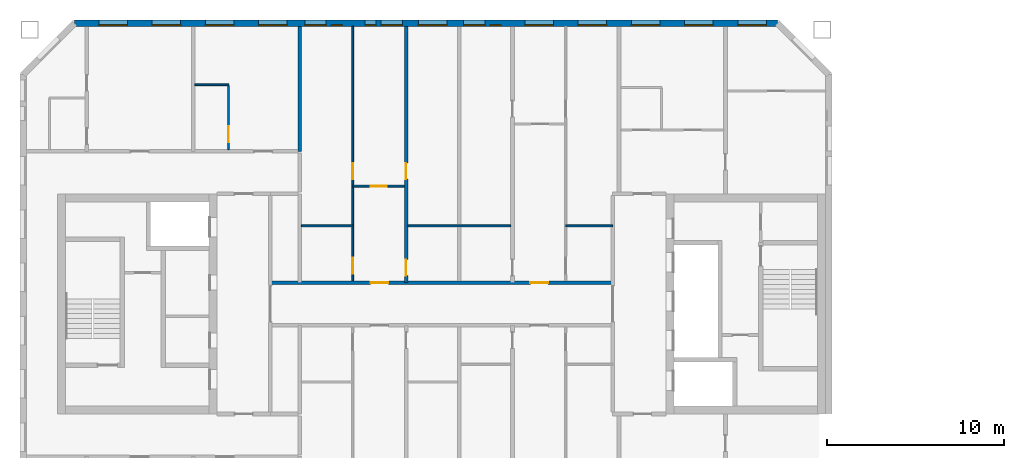
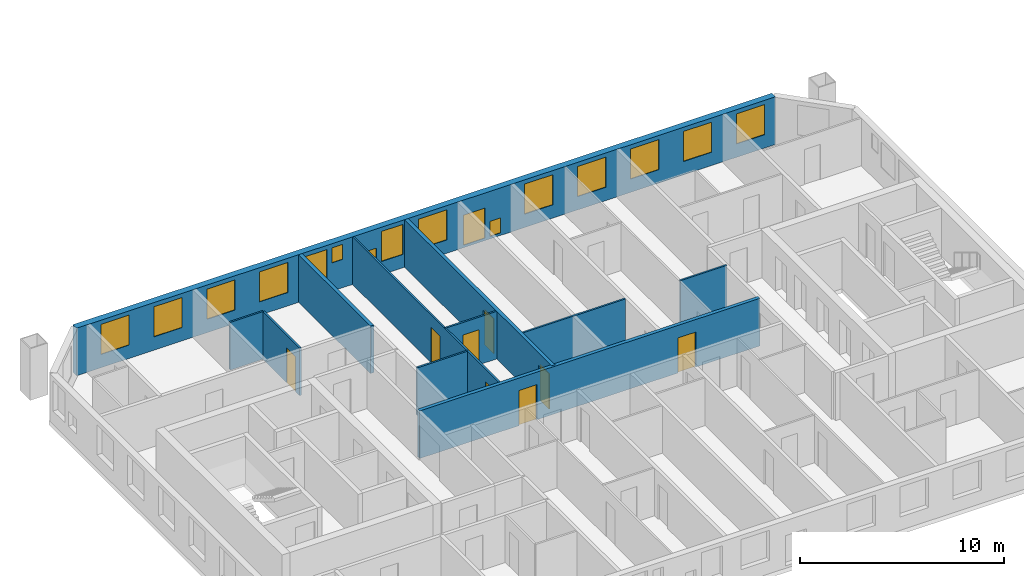
# One storey, part 5 of 15: 16 windows, 11 walls, 8 doors, 24 openings.
"""IFC4 building model written with IfcOpenShell, lengths in metres."""

from ifc_helpers import new_model, si_unit, direction, frame, frame_2d, origin, place, context, subcontext, project, spatial, rectangle, extrude, material, layer, layer_set, type_object, element, fill, save


model = new_model("IFC4")

# Units and contexts
model_context = context("Model", 3, precision=1e-05, world=origin(), true_north=direction((0.0, 1.0)))
body_context = subcontext(model_context, "Body", "Model", "MODEL_VIEW")
ifc_project = project(units=[si_unit("LENGTHUNIT", "METRE"), si_unit("AREAUNIT", "SQUARE_METRE"), si_unit("VOLUMEUNIT", "CUBIC_METRE"), si_unit("PLANEANGLEUNIT", "RADIAN"), si_unit("MASSUNIT", "GRAM", prefix="KILO")], contexts=[model_context])

# Site, building, storey
site_placement = place(None, origin())
site = spatial("IfcSite", under=ifc_project, at=site_placement, CompositionType="ELEMENT")
building_placement = place(site_placement, origin())
building = spatial("IfcBuilding", under=site, at=building_placement, Name="Tuart Gate Housing", CompositionType="ELEMENT")
storey_placement = place(building_placement, frame((0.0, 0.0, 188.199951171875)))
storey = spatial("IfcBuildingStorey", under=building, at=storey_placement, Name="L53", CompositionType="ELEMENT", Elevation=188.199951171875)

# Wall, openings, windows
ifc_material_1 = material(Name="Brick", Category="masonry")
ifc_layer_1 = layer(ifc_material_1, 0.360107421875)
ifc_layer_set_1 = layer_set([ifc_layer_1], Name="Brick pier and spandrel wall 360")
wall_type_1 = type_object("IfcWallType", Name="Brick pier and spandrel wall 360", PredefinedType="STANDARD", material=ifc_layer_set_1)
wall_1_placement = place(storey_placement, frame((72.92529296875, 85.820068359375, 0.0), z_axis=(0.0, 0.0, 1.0), x_axis=(-1.0, 0.0, 0.0)))
wall_1 = element("IfcWall", 1, at=wall_1_placement, inside=storey, type_object=wall_type_1, Name="External wall A-N L53", PredefinedType="STANDARD", context=body_context, shape_type="SweptSolid", body=[
    extrude(rectangle(XDim=39.600830078125, YDim=0.360107421875, at=frame_2d((19.80029296875, 0.0))), origin(), (0.0, 0.0, 1.0), 2.85009765625),
])
opening_1_placement = place(wall_1_placement, frame((0.62548828125, 0.0, 0.800048828125)))
opening_1 = element("IfcOpeningElement", 2, at=opening_1_placement, cuts=wall_1, Name="Opening W1", PredefinedType="OPENING", context=body_context, shape_type="SweptSolid", body=[
    extrude(rectangle(XDim=1.60009765625, YDim=1.800048828125, at=frame_2d((0.800048828125, 0.89990234375))), frame((0.0, 0.18994140625, 0.0), z_axis=(0.0, -1.0, 0.0), x_axis=(1.0, 0.0, 0.0)), (0.0, 0.0, 1.0), 0.380126953125),
])
opening_2_placement = place(wall_1_placement, frame((3.62548828125, 0.0, 0.800048828125)))
opening_2 = element("IfcOpeningElement", 3, at=opening_2_placement, cuts=wall_1, Name="Opening W1", PredefinedType="OPENING", context=body_context, shape_type="SweptSolid", body=[
    extrude(rectangle(XDim=1.60009765625, YDim=1.800048828125, at=frame_2d((0.800048828125, 0.89990234375))), frame((0.0, 0.18994140625, 0.0), z_axis=(0.0, -1.0, 0.0), x_axis=(1.0, 0.0, 0.0)), (0.0, 0.0, 1.0), 0.380126953125),
])
opening_3_placement = place(wall_1_placement, frame((6.62548828125, 0.0, 0.800048828125)))
opening_3 = element("IfcOpeningElement", 4, at=opening_3_placement, cuts=wall_1, Name="Opening W1", PredefinedType="OPENING", context=body_context, shape_type="SweptSolid", body=[
    extrude(rectangle(XDim=1.60009765625, YDim=1.800048828125, at=frame_2d((0.800048828125, 0.89990234375))), frame((0.0, 0.18994140625, 0.0), z_axis=(0.0, -1.0, 0.0), x_axis=(1.0, 0.0, 0.0)), (0.0, 0.0, 1.0), 0.380126953125),
])
opening_4_placement = place(wall_1_placement, frame((9.62548828125, 0.0, 0.800048828125)))
opening_4 = element("IfcOpeningElement", 5, at=opening_4_placement, cuts=wall_1, Name="Opening W1", PredefinedType="OPENING", context=body_context, shape_type="SweptSolid", body=[
    extrude(rectangle(XDim=1.60009765625, YDim=1.800048828125, at=frame_2d((0.800048828125, 0.89990234375))), frame((0.0, 0.18994140625, 0.0), z_axis=(0.0, -1.0, 0.0), x_axis=(1.0, 0.0, 0.0)), (0.0, 0.0, 1.0), 0.380126953125),
])
opening_5_placement = place(wall_1_placement, frame((12.62548828125, 0.0, 0.800048828125)))
opening_5 = element("IfcOpeningElement", 6, at=opening_5_placement, cuts=wall_1, Name="Opening W1", PredefinedType="OPENING", context=body_context, shape_type="SweptSolid", body=[
    extrude(rectangle(XDim=1.60009765625, YDim=1.800048828125, at=frame_2d((0.800048828125, 0.89990234375))), frame((0.0, 0.18994140625, 0.0), z_axis=(0.0, -1.0, 0.0), x_axis=(1.0, 0.0, 0.0)), (0.0, 0.0, 1.0), 0.380126953125),
])
opening_6_placement = place(wall_1_placement, frame((15.575439453125, 0.0, 0.14990234375)))
opening_6 = element("IfcOpeningElement", 7, at=opening_6_placement, cuts=wall_1, Name="Opening W1W", PredefinedType="OPENING", context=body_context, shape_type="SweptSolid", body=[
    extrude(rectangle(XDim=0.60009765625, YDim=0.89990234375, at=frame_2d((0.300048828125, 0.449951171875))), frame((0.0, 0.18994140625, 0.0), z_axis=(0.0, -1.0, 0.0), x_axis=(1.0, 0.0, 0.0)), (0.0, 0.0, 1.0), 0.380126953125),
])
opening_7_placement = place(wall_1_placement, frame((18.62548828125, 0.0, 0.800048828125)))
opening_7 = element("IfcOpeningElement", 8, at=opening_7_placement, cuts=wall_1, Name="Opening W1", PredefinedType="OPENING", context=body_context, shape_type="SweptSolid", body=[
    extrude(rectangle(XDim=1.60009765625, YDim=1.800048828125, at=frame_2d((0.800048828125, 0.89990234375))), frame((0.0, 0.18994140625, 0.0), z_axis=(0.0, -1.0, 0.0), x_axis=(1.0, 0.0, 0.0)), (0.0, 0.0, 1.0), 0.380126953125),
])
opening_8_placement = place(wall_1_placement, frame((21.12548828125, 0.0, 0.800048828125)))
opening_8 = element("IfcOpeningElement", 9, at=opening_8_placement, cuts=wall_1, Name="Opening W1B", PredefinedType="OPENING", context=body_context, shape_type="SweptSolid", body=[
    extrude(rectangle(XDim=1.199951171875, YDim=1.800048828125, at=frame_2d((0.60009765625, 0.89990234375))), frame((0.0, 0.18994140625, 0.0), z_axis=(0.0, -1.0, 0.0), x_axis=(1.0, 0.0, 0.0)), (0.0, 0.0, 1.0), 0.380126953125),
])
opening_9_placement = place(wall_1_placement, frame((24.525390625, 0.0, 1.699951171875)))
opening_9 = element("IfcOpeningElement", 10, at=opening_9_placement, cuts=wall_1, Name="Opening W1W", PredefinedType="OPENING", context=body_context, shape_type="SweptSolid", body=[
    extrude(rectangle(XDim=0.60009765625, YDim=0.89990234375, at=frame_2d((0.300048828125, 0.449951171875))), frame((0.0, 0.18994140625, 0.0), z_axis=(0.0, -1.0, 0.0), x_axis=(1.0, 0.0, 0.0)), (0.0, 0.0, 1.0), 0.380126953125),
])
opening_10_placement = place(wall_1_placement, frame((27.62548828125, 0.0, 0.800048828125)))
opening_10 = element("IfcOpeningElement", 11, at=opening_10_placement, cuts=wall_1, Name="Opening W1", PredefinedType="OPENING", context=body_context, shape_type="SweptSolid", body=[
    extrude(rectangle(XDim=1.60009765625, YDim=1.800048828125, at=frame_2d((0.800048828125, 0.89990234375))), frame((0.0, 0.18994140625, 0.0), z_axis=(0.0, -1.0, 0.0), x_axis=(1.0, 0.0, 0.0)), (0.0, 0.0, 1.0), 0.380126953125),
])
opening_11_placement = place(wall_1_placement, frame((30.62548828125, 0.0, 0.800048828125)))
opening_11 = element("IfcOpeningElement", 12, at=opening_11_placement, cuts=wall_1, Name="Opening W1", PredefinedType="OPENING", context=body_context, shape_type="SweptSolid", body=[
    extrude(rectangle(XDim=1.60009765625, YDim=1.800048828125, at=frame_2d((0.800048828125, 0.89990234375))), frame((0.0, 0.18994140625, 0.0), z_axis=(0.0, -1.0, 0.0), x_axis=(1.0, 0.0, 0.0)), (0.0, 0.0, 1.0), 0.380126953125),
])
opening_12_placement = place(wall_1_placement, frame((33.62548828125, 0.0, 0.800048828125)))
opening_12 = element("IfcOpeningElement", 13, at=opening_12_placement, cuts=wall_1, Name="Opening W1", PredefinedType="OPENING", context=body_context, shape_type="SweptSolid", body=[
    extrude(rectangle(XDim=1.60009765625, YDim=1.800048828125, at=frame_2d((0.800048828125, 0.89990234375))), frame((0.0, 0.18994140625, 0.0), z_axis=(0.0, -1.0, 0.0), x_axis=(1.0, 0.0, 0.0)), (0.0, 0.0, 1.0), 0.380126953125),
])
opening_13_placement = place(wall_1_placement, frame((36.62548828125, 0.0, 0.800048828125)))
opening_13 = element("IfcOpeningElement", 14, at=opening_13_placement, cuts=wall_1, Name="Opening W1", PredefinedType="OPENING", context=body_context, shape_type="SweptSolid", body=[
    extrude(rectangle(XDim=1.60009765625, YDim=1.800048828125, at=frame_2d((0.800048828125, 0.89990234375))), frame((0.0, 0.18994140625, 0.0), z_axis=(0.0, -1.0, 0.0), x_axis=(1.0, 0.0, 0.0)), (0.0, 0.0, 1.0), 0.380126953125),
])
opening_14_placement = place(wall_1_placement, frame((16.475341796875, 0.0, 0.14990234375)))
opening_14 = element("IfcOpeningElement", 15, at=opening_14_placement, cuts=wall_1, Name="Opening W1B", PredefinedType="OPENING", context=body_context, shape_type="SweptSolid", body=[
    extrude(rectangle(XDim=1.199951171875, YDim=1.800048828125, at=frame_2d((0.60009765625, 0.89990234375))), frame((0.0, 0.18994140625, 0.0), z_axis=(0.0, -1.0, 0.0), x_axis=(1.0, 0.0, 0.0)), (0.0, 0.0, 1.0), 0.380126953125),
])
opening_15_placement = place(wall_1_placement, frame((22.62548828125, 0.0, 0.800048828125)))
opening_15 = element("IfcOpeningElement", 16, at=opening_15_placement, cuts=wall_1, Name="Opening W1W", PredefinedType="OPENING", context=body_context, shape_type="SweptSolid", body=[
    extrude(rectangle(XDim=0.60009765625, YDim=0.89990234375, at=frame_2d((0.300048828125, 0.449951171875))), frame((0.0, 0.18994140625, 0.0), z_axis=(0.0, -1.0, 0.0), x_axis=(1.0, 0.0, 0.0)), (0.0, 0.0, 1.0), 0.380126953125),
])
opening_16_placement = place(wall_1_placement, frame((25.42529296875, 0.0, 0.800048828125)))
opening_16 = element("IfcOpeningElement", 17, at=opening_16_placement, cuts=wall_1, Name="Opening W1B", PredefinedType="OPENING", context=body_context, shape_type="SweptSolid", body=[
    extrude(rectangle(XDim=1.199951171875, YDim=1.800048828125, at=frame_2d((0.60009765625, 0.89990234375))), frame((0.0, 0.18994140625, 0.0), z_axis=(0.0, -1.0, 0.0), x_axis=(1.0, 0.0, 0.0)), (0.0, 0.0, 1.0), 0.380126953125),
])
ifc_material_2 = material(Name="Aluminium frame with clear glass", Category="aluminium")
window_type_1 = type_object("IfcWindowType", Name="Punched window 1200 x 1800", PartitioningType="SINGLE_PANEL", PredefinedType="WINDOW", material=ifc_material_2)
window_1_placement = place(opening_8_placement, origin())
window_1 = element("IfcWindow", 18, at=window_1_placement, inside=storey, type_object=window_type_1, Name="Window W1B", OverallHeight=1.800048828125, OverallWidth=1.199951171875, PartitioningType="SINGLE_PANEL", PredefinedType="WINDOW", context=body_context, shape_type="SweptSolid", body=[
    extrude(rectangle(XDim=1.199951171875, YDim=1.800048828125, at=frame_2d((0.60009765625, 0.89990234375))), frame((0.0, 0.150146484375, 0.0), z_axis=(0.0, -1.0, 0.0), x_axis=(1.0, 0.0, 0.0)), (0.0, 0.0, 1.0), 0.06005859375),
])
fill(opening_8, window_1)
window_2_placement = place(opening_14_placement, origin())
window_2 = element("IfcWindow", 19, at=window_2_placement, inside=storey, type_object=window_type_1, Name="Window W1B", OverallHeight=1.800048828125, OverallWidth=1.199951171875, PartitioningType="SINGLE_PANEL", PredefinedType="WINDOW", context=body_context, shape_type="SweptSolid", body=[
    extrude(rectangle(XDim=1.199951171875, YDim=1.800048828125, at=frame_2d((0.60009765625, 0.89990234375))), frame((0.0, 0.150146484375, 0.0), z_axis=(0.0, -1.0, 0.0), x_axis=(1.0, 0.0, 0.0)), (0.0, 0.0, 1.0), 0.06005859375),
])
fill(opening_14, window_2)
window_3_placement = place(opening_16_placement, origin())
window_3 = element("IfcWindow", 20, at=window_3_placement, inside=storey, type_object=window_type_1, Name="Window W1B", OverallHeight=1.800048828125, OverallWidth=1.199951171875, PartitioningType="SINGLE_PANEL", PredefinedType="WINDOW", context=body_context, shape_type="SweptSolid", body=[
    extrude(rectangle(XDim=1.199951171875, YDim=1.800048828125, at=frame_2d((0.60009765625, 0.89990234375))), frame((0.0, 0.150146484375, 0.0), z_axis=(0.0, -1.0, 0.0), x_axis=(1.0, 0.0, 0.0)), (0.0, 0.0, 1.0), 0.06005859375),
])
fill(opening_16, window_3)
ifc_material_3 = material(Name="Aluminium frame with clear glass", Category="aluminium")
window_type_2 = type_object("IfcWindowType", Name="Punched window 1600 x 1800", PartitioningType="SINGLE_PANEL", PredefinedType="WINDOW", material=ifc_material_3)
window_4_placement = place(opening_1_placement, origin())
window_4 = element("IfcWindow", 21, at=window_4_placement, inside=storey, type_object=window_type_2, Name="Window W1", OverallHeight=1.800048828125, OverallWidth=1.60009765625, PartitioningType="SINGLE_PANEL", PredefinedType="WINDOW", context=body_context, shape_type="SweptSolid", body=[
    extrude(rectangle(XDim=1.60009765625, YDim=1.800048828125, at=frame_2d((0.800048828125, 0.89990234375))), frame((0.0, 0.150146484375, 0.0), z_axis=(0.0, -1.0, 0.0), x_axis=(1.0, 0.0, 0.0)), (0.0, 0.0, 1.0), 0.06005859375),
])
fill(opening_1, window_4)
window_5_placement = place(opening_2_placement, origin())
window_5 = element("IfcWindow", 22, at=window_5_placement, inside=storey, type_object=window_type_2, Name="Window W1", OverallHeight=1.800048828125, OverallWidth=1.60009765625, PartitioningType="SINGLE_PANEL", PredefinedType="WINDOW", context=body_context, shape_type="SweptSolid", body=[
    extrude(rectangle(XDim=1.60009765625, YDim=1.800048828125, at=frame_2d((0.800048828125, 0.89990234375))), frame((0.0, 0.150146484375, 0.0), z_axis=(0.0, -1.0, 0.0), x_axis=(1.0, 0.0, 0.0)), (0.0, 0.0, 1.0), 0.06005859375),
])
fill(opening_2, window_5)
window_6_placement = place(opening_3_placement, origin())
window_6 = element("IfcWindow", 23, at=window_6_placement, inside=storey, type_object=window_type_2, Name="Window W1", OverallHeight=1.800048828125, OverallWidth=1.60009765625, PartitioningType="SINGLE_PANEL", PredefinedType="WINDOW", context=body_context, shape_type="SweptSolid", body=[
    extrude(rectangle(XDim=1.60009765625, YDim=1.800048828125, at=frame_2d((0.800048828125, 0.89990234375))), frame((0.0, 0.150146484375, 0.0), z_axis=(0.0, -1.0, 0.0), x_axis=(1.0, 0.0, 0.0)), (0.0, 0.0, 1.0), 0.06005859375),
])
fill(opening_3, window_6)
window_7_placement = place(opening_4_placement, origin())
window_7 = element("IfcWindow", 24, at=window_7_placement, inside=storey, type_object=window_type_2, Name="Window W1", OverallHeight=1.800048828125, OverallWidth=1.60009765625, PartitioningType="SINGLE_PANEL", PredefinedType="WINDOW", context=body_context, shape_type="SweptSolid", body=[
    extrude(rectangle(XDim=1.60009765625, YDim=1.800048828125, at=frame_2d((0.800048828125, 0.89990234375))), frame((0.0, 0.150146484375, 0.0), z_axis=(0.0, -1.0, 0.0), x_axis=(1.0, 0.0, 0.0)), (0.0, 0.0, 1.0), 0.06005859375),
])
fill(opening_4, window_7)
window_8_placement = place(opening_5_placement, origin())
window_8 = element("IfcWindow", 25, at=window_8_placement, inside=storey, type_object=window_type_2, Name="Window W1", OverallHeight=1.800048828125, OverallWidth=1.60009765625, PartitioningType="SINGLE_PANEL", PredefinedType="WINDOW", context=body_context, shape_type="SweptSolid", body=[
    extrude(rectangle(XDim=1.60009765625, YDim=1.800048828125, at=frame_2d((0.800048828125, 0.89990234375))), frame((0.0, 0.150146484375, 0.0), z_axis=(0.0, -1.0, 0.0), x_axis=(1.0, 0.0, 0.0)), (0.0, 0.0, 1.0), 0.06005859375),
])
fill(opening_5, window_8)
window_9_placement = place(opening_7_placement, origin())
window_9 = element("IfcWindow", 26, at=window_9_placement, inside=storey, type_object=window_type_2, Name="Window W1", OverallHeight=1.800048828125, OverallWidth=1.60009765625, PartitioningType="SINGLE_PANEL", PredefinedType="WINDOW", context=body_context, shape_type="SweptSolid", body=[
    extrude(rectangle(XDim=1.60009765625, YDim=1.800048828125, at=frame_2d((0.800048828125, 0.89990234375))), frame((0.0, 0.150146484375, 0.0), z_axis=(0.0, -1.0, 0.0), x_axis=(1.0, 0.0, 0.0)), (0.0, 0.0, 1.0), 0.06005859375),
])
fill(opening_7, window_9)
window_10_placement = place(opening_10_placement, origin())
window_10 = element("IfcWindow", 27, at=window_10_placement, inside=storey, type_object=window_type_2, Name="Window W1", OverallHeight=1.800048828125, OverallWidth=1.60009765625, PartitioningType="SINGLE_PANEL", PredefinedType="WINDOW", context=body_context, shape_type="SweptSolid", body=[
    extrude(rectangle(XDim=1.60009765625, YDim=1.800048828125, at=frame_2d((0.800048828125, 0.89990234375))), frame((0.0, 0.150146484375, 0.0), z_axis=(0.0, -1.0, 0.0), x_axis=(1.0, 0.0, 0.0)), (0.0, 0.0, 1.0), 0.06005859375),
])
fill(opening_10, window_10)
window_11_placement = place(opening_11_placement, origin())
window_11 = element("IfcWindow", 28, at=window_11_placement, inside=storey, type_object=window_type_2, Name="Window W1", OverallHeight=1.800048828125, OverallWidth=1.60009765625, PartitioningType="SINGLE_PANEL", PredefinedType="WINDOW", context=body_context, shape_type="SweptSolid", body=[
    extrude(rectangle(XDim=1.60009765625, YDim=1.800048828125, at=frame_2d((0.800048828125, 0.89990234375))), frame((0.0, 0.150146484375, 0.0), z_axis=(0.0, -1.0, 0.0), x_axis=(1.0, 0.0, 0.0)), (0.0, 0.0, 1.0), 0.06005859375),
])
fill(opening_11, window_11)
window_12_placement = place(opening_12_placement, origin())
window_12 = element("IfcWindow", 29, at=window_12_placement, inside=storey, type_object=window_type_2, Name="Window W1", OverallHeight=1.800048828125, OverallWidth=1.60009765625, PartitioningType="SINGLE_PANEL", PredefinedType="WINDOW", context=body_context, shape_type="SweptSolid", body=[
    extrude(rectangle(XDim=1.60009765625, YDim=1.800048828125, at=frame_2d((0.800048828125, 0.89990234375))), frame((0.0, 0.150146484375, 0.0), z_axis=(0.0, -1.0, 0.0), x_axis=(1.0, 0.0, 0.0)), (0.0, 0.0, 1.0), 0.06005859375),
])
fill(opening_12, window_12)
window_13_placement = place(opening_13_placement, origin())
window_13 = element("IfcWindow", 30, at=window_13_placement, inside=storey, type_object=window_type_2, Name="Window W1", OverallHeight=1.800048828125, OverallWidth=1.60009765625, PartitioningType="SINGLE_PANEL", PredefinedType="WINDOW", context=body_context, shape_type="SweptSolid", body=[
    extrude(rectangle(XDim=1.60009765625, YDim=1.800048828125, at=frame_2d((0.800048828125, 0.89990234375))), frame((0.0, 0.150146484375, 0.0), z_axis=(0.0, -1.0, 0.0), x_axis=(1.0, 0.0, 0.0)), (0.0, 0.0, 1.0), 0.06005859375),
])
fill(opening_13, window_13)
ifc_material_4 = material(Name="Aluminium frame with clear glass", Category="aluminium")
window_type_3 = type_object("IfcWindowType", Name="Punched window 600 x 900", PartitioningType="SINGLE_PANEL", PredefinedType="WINDOW", material=ifc_material_4)
window_14_placement = place(opening_6_placement, origin())
window_14 = element("IfcWindow", 31, at=window_14_placement, inside=storey, type_object=window_type_3, Name="Window W1W", OverallHeight=0.89990234375, OverallWidth=0.60009765625, PartitioningType="SINGLE_PANEL", PredefinedType="WINDOW", context=body_context, shape_type="SweptSolid", body=[
    extrude(rectangle(XDim=0.60009765625, YDim=0.89990234375, at=frame_2d((0.300048828125, 0.449951171875))), frame((0.0, 0.150146484375, 0.0), z_axis=(0.0, -1.0, 0.0), x_axis=(1.0, 0.0, 0.0)), (0.0, 0.0, 1.0), 0.06005859375),
])
fill(opening_6, window_14)
window_15_placement = place(opening_9_placement, origin())
window_15 = element("IfcWindow", 32, at=window_15_placement, inside=storey, type_object=window_type_3, Name="Window W1W", OverallHeight=0.89990234375, OverallWidth=0.60009765625, PartitioningType="SINGLE_PANEL", PredefinedType="WINDOW", context=body_context, shape_type="SweptSolid", body=[
    extrude(rectangle(XDim=0.60009765625, YDim=0.89990234375, at=frame_2d((0.300048828125, 0.449951171875))), frame((0.0, 0.150146484375, 0.0), z_axis=(0.0, -1.0, 0.0), x_axis=(1.0, 0.0, 0.0)), (0.0, 0.0, 1.0), 0.06005859375),
])
fill(opening_9, window_15)
window_16_placement = place(opening_15_placement, origin())
window_16 = element("IfcWindow", 33, at=window_16_placement, inside=storey, type_object=window_type_3, Name="Window W1W", OverallHeight=0.89990234375, OverallWidth=0.60009765625, PartitioningType="SINGLE_PANEL", PredefinedType="WINDOW", context=body_context, shape_type="SweptSolid", body=[
    extrude(rectangle(XDim=0.60009765625, YDim=0.89990234375, at=frame_2d((0.300048828125, 0.449951171875))), frame((0.0, 0.150146484375, 0.0), z_axis=(0.0, -1.0, 0.0), x_axis=(1.0, 0.0, 0.0)), (0.0, 0.0, 1.0), 0.06005859375),
])
fill(opening_15, window_16)

# Wall, openings, doors
ifc_material_5 = material(Name="Concrete masonry 15 MPa", Category="masonry")
ifc_layer_2 = layer(ifc_material_5, 0.199951171875)
ifc_layer_set_2 = layer_set([ifc_layer_2], Name="Corridor wall masonry 200")
wall_type_2 = type_object("IfcWallType", Name="Corridor wall masonry 200", PredefinedType="PARTITIONING", material=ifc_layer_set_2)
wall_2_placement = place(storey_placement, frame((44.360107421875, 71.199951171875, 0.0), z_axis=(0.0, 0.0, 1.0), x_axis=(1.0, 0.0, 0.0)))
wall_2 = element("IfcWall", 34, at=wall_2_placement, inside=storey, type_object=wall_type_2, Name="Corridor wall masonry 200", PredefinedType="PARTITIONING", context=body_context, shape_type="SweptSolid", body=[
    extrude(rectangle(XDim=19.27978515625, YDim=0.199951171875, at=frame_2d((9.639892578125, 0.0))), origin(), (0.0, 0.0, 1.0), 2.85009765625),
])
opening_17_placement = place(wall_2_placement, frame((14.639892578125, 0.0, 0.0)))
opening_17 = element("IfcOpeningElement", 35, at=opening_17_placement, cuts=wall_2, Name="Opening D1863", PredefinedType="OPENING", context=body_context, shape_type="SweptSolid", body=[
    extrude(rectangle(XDim=1.0, YDim=2.10009765625, at=frame_2d((0.5, 1.050048828125))), frame((0.0, 0.10986328125, 0.0), z_axis=(0.0, -1.0, 0.0), x_axis=(1.0, 0.0, 0.0)), (0.0, 0.0, 1.0), 0.219970703125),
])
opening_18_placement = place(wall_2_placement, frame((5.639892578125, 0.0, 0.0)))
opening_18 = element("IfcOpeningElement", 36, at=opening_18_placement, cuts=wall_2, Name="Opening D1864", PredefinedType="OPENING", context=body_context, shape_type="SweptSolid", body=[
    extrude(rectangle(XDim=1.0, YDim=2.10009765625, at=frame_2d((0.5, 1.050048828125))), frame((0.0, 0.10986328125, 0.0), z_axis=(0.0, -1.0, 0.0), x_axis=(1.0, 0.0, 0.0)), (0.0, 0.0, 1.0), 0.219970703125),
])
ifc_material_6 = material(Name="Timber door leaf in steel frame", Category="steel")
door_type_1 = type_object("IfcDoorType", Name="Flat entrance door 1000", OperationType="SINGLE_SWING_LEFT", PredefinedType="DOOR", material=ifc_material_6)
door_1_placement = place(opening_17_placement, origin())
door_1 = element("IfcDoor", 37, at=door_1_placement, inside=storey, type_object=door_type_1, Name="Flat entrance door", OperationType="SINGLE_SWING_LEFT", OverallHeight=2.10009765625, OverallWidth=1.0, PredefinedType="DOOR", context=body_context, shape_type="SweptSolid", body=[
    extrude(rectangle(XDim=1.0, YDim=2.10009765625, at=frame_2d((0.5, 1.050048828125))), frame((0.0, 0.02490234375, 0.0), z_axis=(0.0, -1.0, 0.0), x_axis=(1.0, 0.0, 0.0)), (0.0, 0.0, 1.0), 0.050048828125),
])
fill(opening_17, door_1)
door_2_placement = place(opening_18_placement, origin())
door_2 = element("IfcDoor", 38, at=door_2_placement, inside=storey, type_object=door_type_1, Name="Flat entrance door", OperationType="SINGLE_SWING_LEFT", OverallHeight=2.10009765625, OverallWidth=1.0, PredefinedType="DOOR", context=body_context, shape_type="SweptSolid", body=[
    extrude(rectangle(XDim=1.0, YDim=2.10009765625, at=frame_2d((0.5, 1.050048828125))), frame((0.0, 0.02490234375, 0.0), z_axis=(0.0, -1.0, 0.0), x_axis=(1.0, 0.0, 0.0)), (0.0, 0.0, 1.0), 0.050048828125),
])
fill(opening_18, door_2)

# Walls
ifc_material_7 = material(Name="Gypsum board on steel studs", Category="steel")
ifc_layer_3 = layer(ifc_material_7, 0.10009765625)
ifc_layer_set_3 = layer_set([ifc_layer_3], Name="Partition 100")
wall_type_3 = type_object("IfcWallType", Name="Partition 100", PredefinedType="PARTITIONING", material=ifc_layer_set_3)
wall_3_placement = place(storey_placement, frame((46.10009765625, 74.39990234375, 0.0), z_axis=(0.0, 0.0, 1.0), x_axis=(1.0, 0.0, 0.0)))
element("IfcWall", 39, at=wall_3_placement, inside=storey, type_object=wall_type_3, Name="Partition 100", PredefinedType="PARTITIONING", context=body_context, shape_type="SweptSolid", body=[
    extrude(rectangle(XDim=2.89990234375, YDim=0.10009765625, at=frame_2d((1.449951171875, 0.0))), origin(), (0.0, 0.0, 1.0), 2.85009765625),
])
wall_4_placement = place(storey_placement, frame((52.10009765625, 74.39990234375, 0.0), z_axis=(0.0, 0.0, 1.0), x_axis=(1.0, 0.0, 0.0)))
element("IfcWall", 40, at=wall_4_placement, inside=storey, type_object=wall_type_3, Name="Partition 100", PredefinedType="PARTITIONING", context=body_context, shape_type="SweptSolid", body=[
    extrude(rectangle(XDim=5.7998046875, YDim=0.10009765625, at=frame_2d((2.89990234375, 0.0))), origin(), (0.0, 0.0, 1.0), 2.85009765625),
])
wall_5_placement = place(storey_placement, frame((61.0, 74.39990234375, 0.0), z_axis=(0.0, 0.0, 1.0), x_axis=(1.0, 0.0, 0.0)))
element("IfcWall", 41, at=wall_5_placement, inside=storey, type_object=wall_type_3, Name="Partition 100", PredefinedType="PARTITIONING", context=body_context, shape_type="SweptSolid", body=[
    extrude(rectangle(XDim=2.639892578125, YDim=0.10009765625, at=frame_2d((1.31982421875, 0.0))), origin(), (0.0, 0.0, 1.0), 2.85009765625),
])

# Wall, opening, door
wall_6_placement = place(storey_placement, frame((49.0, 76.639892578125, 0.0), z_axis=(0.0, 0.0, 1.0), x_axis=(1.0, 0.0, 0.0)))
wall_6 = element("IfcWall", 42, at=wall_6_placement, inside=storey, type_object=wall_type_3, Name="Partition 100", PredefinedType="PARTITIONING", context=body_context, shape_type="SweptSolid", body=[
    extrude(rectangle(XDim=2.89990234375, YDim=0.10009765625, at=frame_2d((1.449951171875, 0.0))), origin(), (0.0, 0.0, 1.0), 2.85009765625),
])
opening_19_placement = place(wall_6_placement, frame((1.0, 0.0, 0.0)))
opening_19 = element("IfcOpeningElement", 43, at=opening_19_placement, cuts=wall_6, Name="Opening D1858", PredefinedType="OPENING", context=body_context, shape_type="SweptSolid", body=[
    extrude(rectangle(XDim=0.89990234375, YDim=2.10009765625, at=frame_2d((0.449951171875, 1.050048828125))), frame((0.0, 0.06005859375, 0.0), z_axis=(0.0, -1.0, 0.0), x_axis=(1.0, 0.0, 0.0)), (0.0, 0.0, 1.0), 0.1201171875),
])
ifc_material_8 = material(Name="Timber door leaf in steel frame", Category="steel")
door_type_2 = type_object("IfcDoorType", Name="Internal door 900 RH", OperationType="SINGLE_SWING_RIGHT", PredefinedType="DOOR", material=ifc_material_8)
door_3_placement = place(opening_19_placement, frame((0.89990234375, 0.0, 0.0), z_axis=(0.0, 0.0, 1.0), x_axis=(-1.0, 0.0, 0.0)))
door_3 = element("IfcDoor", 44, at=door_3_placement, inside=storey, type_object=door_type_2, Name="Internal door", OperationType="SINGLE_SWING_RIGHT", OverallHeight=2.10009765625, OverallWidth=0.89990234375, PredefinedType="DOOR", context=body_context, shape_type="SweptSolid", body=[
    extrude(rectangle(XDim=0.89990234375, YDim=2.10009765625, at=frame_2d((0.449951171875, 1.050048828125))), frame((0.0, 0.025146484375, 0.0), z_axis=(0.0, -1.0, 0.0), x_axis=(1.0, 0.0, 0.0)), (0.0, 0.0, 1.0), 0.050048828125),
])
fill(opening_19, door_3)

# Wall
wall_7_placement = place(storey_placement, frame((40.10009765625, 82.35009765625, 0.0), z_axis=(0.0, 0.0, 1.0), x_axis=(1.0, 0.0, 0.0)))
element("IfcWall", 45, at=wall_7_placement, inside=storey, type_object=wall_type_3, Name="Partition 100", PredefinedType="PARTITIONING", context=body_context, shape_type="SweptSolid", body=[
    extrude(rectangle(XDim=1.89990234375, YDim=0.10009765625, at=frame_2d((0.949951171875, 0.0))), origin(), (0.0, 0.0, 1.0), 2.85009765625),
])

# Wall, opening, door
wall_8_placement = place(storey_placement, frame((42.0, 78.699951171875, 0.0), z_axis=(0.0, 0.0, 1.0), x_axis=(0.0, 1.0, 0.0)))
wall_8 = element("IfcWall", 46, at=wall_8_placement, inside=storey, type_object=wall_type_3, Name="Partition 100", PredefinedType="PARTITIONING", context=body_context, shape_type="SweptSolid", body=[
    extrude(rectangle(XDim=3.60009765625, YDim=0.10009765625, at=frame_2d((1.800048828125, 0.0))), origin(), (0.0, 0.0, 1.0), 2.85009765625),
])
opening_20_placement = place(wall_8_placement, frame((0.39990234375, 0.0, 0.0)))
opening_20 = element("IfcOpeningElement", 47, at=opening_20_placement, cuts=wall_8, Name="Opening D1844", PredefinedType="OPENING", context=body_context, shape_type="SweptSolid", body=[
    extrude(rectangle(XDim=0.89990234375, YDim=2.10009765625, at=frame_2d((0.449951171875, 1.050048828125))), frame((0.0, 0.06005859375, 0.0), z_axis=(0.0, -1.0, 0.0), x_axis=(1.0, 0.0, 0.0)), (0.0, 0.0, 1.0), 0.1201171875),
])
ifc_material_9 = material(Name="Timber door leaf in steel frame", Category="steel")
door_type_3 = type_object("IfcDoorType", Name="Bathroom door 900", OperationType="SINGLE_SWING_LEFT", PredefinedType="DOOR", material=ifc_material_9)
door_4_placement = place(opening_20_placement, origin())
door_4 = element("IfcDoor", 48, at=door_4_placement, inside=storey, type_object=door_type_3, Name="Bathroom door", OperationType="SINGLE_SWING_LEFT", OverallHeight=2.10009765625, OverallWidth=0.89990234375, PredefinedType="DOOR", context=body_context, shape_type="SweptSolid", body=[
    extrude(rectangle(XDim=0.89990234375, YDim=2.10009765625, at=frame_2d((0.449951171875, 1.050048828125))), frame((0.0, 0.02490234375, 0.0), z_axis=(0.0, -1.0, 0.0), x_axis=(1.0, 0.0, 0.0)), (0.0, 0.0, 1.0), 0.050048828125),
])
fill(opening_20, door_4)

# Wall, openings, doors
wall_9_placement = place(storey_placement, frame((49.0, 71.300048828125, 0.0), z_axis=(0.0, 0.0, 1.0), x_axis=(0.0, 1.0, 0.0)))
wall_9 = element("IfcWall", 49, at=wall_9_placement, inside=storey, type_object=wall_type_3, Name="Partition 100", PredefinedType="PARTITIONING", context=body_context, shape_type="SweptSolid", body=[
    extrude(rectangle(XDim=14.33984375, YDim=0.10009765625, at=frame_2d((7.169921875, 0.0))), origin(), (0.0, 0.0, 1.0), 2.85009765625),
])
opening_21_placement = place(wall_9_placement, frame((5.739990234375, 0.0, 0.0)))
opening_21 = element("IfcOpeningElement", 50, at=opening_21_placement, cuts=wall_9, Name="Opening D1851", PredefinedType="OPENING", context=body_context, shape_type="SweptSolid", body=[
    extrude(rectangle(XDim=0.89990234375, YDim=2.10009765625, at=frame_2d((0.449951171875, 1.050048828125))), frame((0.0, 0.06005859375, 0.0), z_axis=(0.0, -1.0, 0.0), x_axis=(1.0, 0.0, 0.0)), (0.0, 0.0, 1.0), 0.1201171875),
])
opening_22_placement = place(wall_9_placement, frame((0.39990234375, 0.0, 0.0)))
opening_22 = element("IfcOpeningElement", 51, at=opening_22_placement, cuts=wall_9, Name="Opening D1850", PredefinedType="OPENING", context=body_context, shape_type="SweptSolid", body=[
    extrude(rectangle(XDim=0.89990234375, YDim=2.10009765625, at=frame_2d((0.449951171875, 1.050048828125))), frame((0.0, 0.06005859375, 0.0), z_axis=(0.0, -1.0, 0.0), x_axis=(1.0, 0.0, 0.0)), (0.0, 0.0, 1.0), 0.1201171875),
])
door_5_placement = place(opening_22_placement, origin())
door_5 = element("IfcDoor", 52, at=door_5_placement, inside=storey, type_object=door_type_3, Name="Bathroom door", OperationType="SINGLE_SWING_LEFT", OverallHeight=2.10009765625, OverallWidth=0.89990234375, PredefinedType="DOOR", context=body_context, shape_type="SweptSolid", body=[
    extrude(rectangle(XDim=0.89990234375, YDim=2.10009765625, at=frame_2d((0.449951171875, 1.050048828125))), frame((0.0, 0.02490234375, 0.0), z_axis=(0.0, -1.0, 0.0), x_axis=(1.0, 0.0, 0.0)), (0.0, 0.0, 1.0), 0.050048828125),
])
fill(opening_22, door_5)
ifc_material_10 = material(Name="Timber door leaf in steel frame", Category="steel")
door_type_4 = type_object("IfcDoorType", Name="Internal door 900", OperationType="SINGLE_SWING_LEFT", PredefinedType="DOOR", material=ifc_material_10)
door_6_placement = place(opening_21_placement, origin())
door_6 = element("IfcDoor", 53, at=door_6_placement, inside=storey, type_object=door_type_4, Name="Internal door", OperationType="SINGLE_SWING_LEFT", OverallHeight=2.10009765625, OverallWidth=0.89990234375, PredefinedType="DOOR", context=body_context, shape_type="SweptSolid", body=[
    extrude(rectangle(XDim=0.89990234375, YDim=2.10009765625, at=frame_2d((0.449951171875, 1.050048828125))), frame((0.0, 0.02490234375, 0.0), z_axis=(0.0, -1.0, 0.0), x_axis=(1.0, 0.0, 0.0)), (0.0, 0.0, 1.0), 0.050048828125),
])
fill(opening_21, door_6)

# Wall
ifc_material_11 = material(Name="Concrete C40", Category="concrete")
ifc_layer_4 = layer(ifc_material_11, 0.199951171875)
ifc_layer_set_4 = layer_set([ifc_layer_4], Name="Party wall concrete C40 200")
wall_type_4 = type_object("IfcWallType", Name="Party wall concrete C40 200", PredefinedType="SOLIDWALL", material=ifc_layer_set_4)
wall_10_placement = place(storey_placement, frame((46.0, 78.60009765625, 0.0), z_axis=(0.0, 0.0, 1.0), x_axis=(0.0, 1.0, 0.0)))
element("IfcWall", 54, at=wall_10_placement, inside=storey, type_object=wall_type_4, Name="Party wall concrete C40 200", PredefinedType="SOLIDWALL", context=body_context, shape_type="SweptSolid", body=[
    extrude(rectangle(XDim=7.039794921875, YDim=0.199951171875, at=frame_2d((3.52001953125, 0.0))), origin(), (0.0, 0.0, 1.0), 2.85009765625),
])

# Wall, openings, doors
wall_11_placement = place(storey_placement, frame((52.0, 71.199951171875, 0.0), z_axis=(0.0, 0.0, 1.0), x_axis=(0.0, 1.0, 0.0)))
wall_11 = element("IfcWall", 55, at=wall_11_placement, inside=storey, type_object=wall_type_4, Name="Party wall concrete C40 200", PredefinedType="SOLIDWALL", context=body_context, shape_type="SweptSolid", body=[
    extrude(rectangle(XDim=14.43994140625, YDim=0.199951171875, at=frame_2d((7.219970703125, 0.0))), origin(), (0.0, 0.0, 1.0), 2.85009765625),
])
opening_23_placement = place(wall_11_placement, frame((5.840087890625, 0.0, 0.0)))
opening_23 = element("IfcOpeningElement", 56, at=opening_23_placement, cuts=wall_11, Name="Opening D1855", PredefinedType="OPENING", context=body_context, shape_type="SweptSolid", body=[
    extrude(rectangle(XDim=0.89990234375, YDim=2.10009765625, at=frame_2d((0.449951171875, 1.050048828125))), frame((0.0, 0.10986328125, 0.0), z_axis=(0.0, -1.0, 0.0), x_axis=(1.0, 0.0, 0.0)), (0.0, 0.0, 1.0), 0.219970703125),
])
opening_24_placement = place(wall_11_placement, frame((0.39990234375, 0.0, 0.0)))
opening_24 = element("IfcOpeningElement", 57, at=opening_24_placement, cuts=wall_11, Name="Opening D1854", PredefinedType="OPENING", context=body_context, shape_type="SweptSolid", body=[
    extrude(rectangle(XDim=0.89990234375, YDim=2.10009765625, at=frame_2d((0.449951171875, 1.050048828125))), frame((0.0, 0.10986328125, 0.0), z_axis=(0.0, -1.0, 0.0), x_axis=(1.0, 0.0, 0.0)), (0.0, 0.0, 1.0), 0.219970703125),
])
ifc_material_12 = material(Name="Timber door leaf in steel frame", Category="steel")
door_type_5 = type_object("IfcDoorType", Name="Bathroom door 900 RH", OperationType="SINGLE_SWING_RIGHT", PredefinedType="DOOR", material=ifc_material_12)
door_7_placement = place(opening_24_placement, frame((0.89990234375, 0.0, 0.0), z_axis=(0.0, 0.0, 1.0), x_axis=(-1.0, 0.0, 0.0)))
door_7 = element("IfcDoor", 58, at=door_7_placement, inside=storey, type_object=door_type_5, Name="Bathroom door", OperationType="SINGLE_SWING_RIGHT", OverallHeight=2.10009765625, OverallWidth=0.89990234375, PredefinedType="DOOR", context=body_context, shape_type="SweptSolid", body=[
    extrude(rectangle(XDim=0.89990234375, YDim=2.10009765625, at=frame_2d((0.449951171875, 1.050048828125))), frame((0.0, 0.025146484375, 0.0), z_axis=(0.0, -1.0, 0.0), x_axis=(1.0, 0.0, 0.0)), (0.0, 0.0, 1.0), 0.050048828125),
])
fill(opening_24, door_7)
door_8_placement = place(opening_23_placement, frame((0.89990234375, 0.0, 0.0), z_axis=(0.0, 0.0, 1.0), x_axis=(-1.0, 0.0, 0.0)))
door_8 = element("IfcDoor", 59, at=door_8_placement, inside=storey, type_object=door_type_2, Name="Internal door", OperationType="SINGLE_SWING_RIGHT", OverallHeight=2.10009765625, OverallWidth=0.89990234375, PredefinedType="DOOR", context=body_context, shape_type="SweptSolid", body=[
    extrude(rectangle(XDim=0.89990234375, YDim=2.10009765625, at=frame_2d((0.449951171875, 1.050048828125))), frame((0.0, 0.025146484375, 0.0), z_axis=(0.0, -1.0, 0.0), x_axis=(1.0, 0.0, 0.0)), (0.0, 0.0, 1.0), 0.050048828125),
])
fill(opening_23, door_8)

save(model, "model.ifc")
